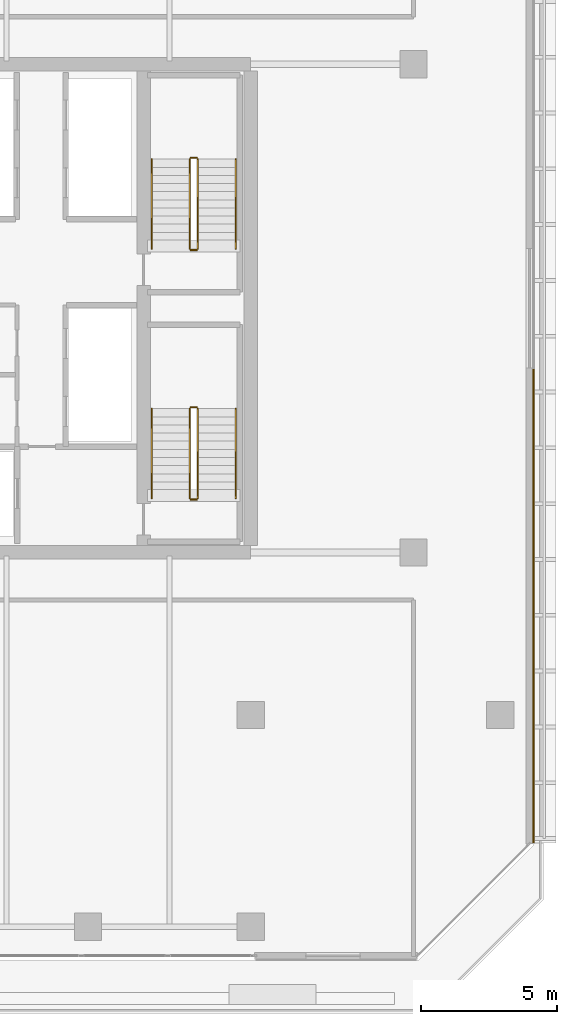
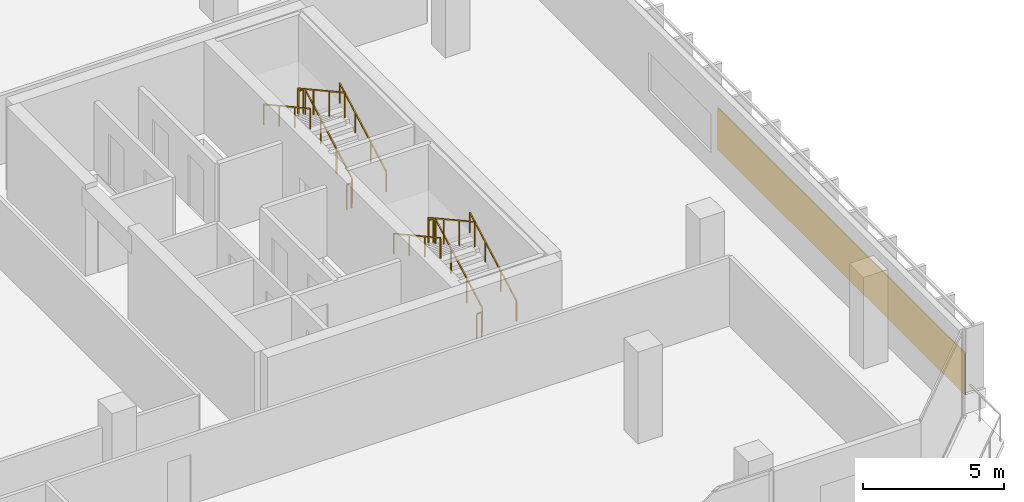
# One storey, part 37 of 38: 12 railings, 1 covering.
"""IFC4 building model written with IfcOpenShell, lengths in metres."""

from ifc_helpers import new_model, si_unit, direction, frame, origin, origin_2d, place, context, subcontext, project, spatial, rectangle, extrude, material, layer, layer_set, type_object, element, save


model = new_model("IFC4")

# Units and contexts
model_context = context("Model", 3, precision=1e-05, world=origin(), true_north=direction((0.0, 1.0)))
body_context = subcontext(model_context, "Body", "Model", "MODEL_VIEW")
ifc_project = project(units=[si_unit("LENGTHUNIT", "METRE"), si_unit("AREAUNIT", "SQUARE_METRE"), si_unit("VOLUMEUNIT", "CUBIC_METRE"), si_unit("PLANEANGLEUNIT", "RADIAN"), si_unit("MASSUNIT", "GRAM", prefix="KILO")], contexts=[model_context])

# Site, building, storey
site_placement = place(None, origin())
site = spatial("IfcSite", under=ifc_project, at=site_placement, CompositionType="ELEMENT")
building_placement = place(site_placement, origin())
building = spatial("IfcBuilding", under=site, at=building_placement, Name="Tanjung Sevakor Pilgrim Tower", CompositionType="ELEMENT")
storey_placement = place(building_placement, frame((0.0, 0.0, 78.2099609375)))
storey = spatial("IfcBuildingStorey", under=building, at=storey_placement, Name="L21", CompositionType="ELEMENT", Elevation=78.2099609375)

# Covering
ifc_material_1 = material(Name="Reconstructed Limestone Cladding", Category="masonry")
ifc_layer = layer(ifc_material_1, 0.044921875)
ifc_layer_set = layer_set([ifc_layer], Name="COV-CLAD-LIMESTONE")
covering_type = type_object("IfcCoveringType", Name="COV-CLAD-LIMESTONE", PredefinedType="CLADDING", material=ifc_layer_set)
covering_placement = place(storey_placement, frame((100.422607421875, 22.620849609375, 0.85009765625), z_axis=(0.0, 0.0, 1.0), x_axis=(0.0, 1.0, 0.0)))
element("IfcCovering", 1, at=covering_placement, inside=storey, type_object=covering_type, Name="L21 Warm Limestone Pier Panel EW-L21-MAIN-7-1", PredefinedType="CLADDING", context=body_context, shape_type="SweptSolid", body=[
    extrude(rectangle(XDim=17.458251953125, YDim=0.044921875, at=origin_2d()), origin(), (0.0, 0.0, 1.0), 1.81005859375),
])

# Railings
ifc_material_2 = material(Name="Steel S355J2", Category="steel")
railing_type_1 = type_object("IfcRailingType", Name="RL-STAIR-GUARD", PredefinedType="GUARDRAIL", material=ifc_material_2)
railing_1_placement = place(storey_placement, frame((88.050048828125, 26.60009765625, 0.1650390625)))
element("IfcRailing", 2, at=railing_1_placement, inside=storey, type_object=railing_type_1, Name="L21 TS-E1 stair guard 1", PredefinedType="GUARDRAIL", context=body_context, shape_type="SweptSolid", body=[
    extrude(rectangle(XDim=0.0479, YDim=0.0479), frame((0.0, 0.0, 1.076171875), z_axis=(0.0, 0.876210433733, 0.481928704082), x_axis=(-1.0, 0.0, 0.0)), (0.0, 0.0, 1.0), 3.76611328125),
    extrude(rectangle(XDim=0.042, YDim=0.042), origin(), (0.0, 0.0, 1.0), 1.052001953125),
    extrude(rectangle(XDim=0.042, YDim=0.042), frame((0.0, 1.099853515625, 0.60498046875)), (0.0, 0.0, 1.0), 1.052001953125),
    extrude(rectangle(XDim=0.042, YDim=0.042), frame((0.0, 2.199951171875, 1.2099609375)), (0.0, 0.0, 1.0), 1.052001953125),
    extrude(rectangle(XDim=0.042, YDim=0.042), frame((0.0, 3.2998046875, 1.81494140625)), (0.0, 0.0, 1.0), 1.052001953125),
])
railing_2_placement = place(storey_placement, frame((88.0, 29.949951171875, 1.97998046875)))
element("IfcRailing", 3, at=railing_2_placement, inside=storey, type_object=railing_type_1, Name="L21 TS-E1 stair guard 2", PredefinedType="GUARDRAIL", context=body_context, shape_type="SweptSolid", body=[
    extrude(rectangle(XDim=0.0479, YDim=0.0479), frame((0.0, 0.0, 1.076171875), z_axis=(-1.0, 0.0, 0.0), x_axis=(0.0, -1.0, 0.0)), (0.0, 0.0, 1.0), 0.199951171875),
    extrude(rectangle(XDim=0.042, YDim=0.042), origin(), (0.0, 0.0, 1.0), 1.052001953125),
    extrude(rectangle(XDim=0.042, YDim=0.042), frame((-0.199951171875, 0.0, 0.0)), (0.0, 0.0, 1.0), 1.052001953125),
])
railing_3_placement = place(storey_placement, frame((87.75, 29.89990234375, 2.14501953125)))
element("IfcRailing", 4, at=railing_3_placement, inside=storey, type_object=railing_type_1, Name="L21 TS-E1 stair guard 3", PredefinedType="GUARDRAIL", context=body_context, shape_type="SweptSolid", body=[
    extrude(rectangle(XDim=0.0479, YDim=0.0479), frame((0.0, 0.0, 1.076171875), z_axis=(0.0, -0.876210433733, 0.481928704082), x_axis=(1.0, 0.0, 0.0)), (0.0, 0.0, 1.0), 3.76611328125),
    extrude(rectangle(XDim=0.042, YDim=0.042), origin(), (0.0, 0.0, 1.0), 1.052001953125),
    extrude(rectangle(XDim=0.042, YDim=0.042), frame((0.0, -1.099853515625, 0.60498046875)), (0.0, 0.0, 1.0), 1.052001953125),
    extrude(rectangle(XDim=0.042, YDim=0.042), frame((0.0, -2.199951171875, 1.2099609375)), (0.0, 0.0, 1.0), 1.052001953125),
    extrude(rectangle(XDim=0.042, YDim=0.042), frame((0.0, -3.2998046875, 1.81494140625)), (0.0, 0.0, 1.0), 1.052001953125),
])
railing_4_placement = place(storey_placement, frame((88.0, 26.550048828125, 0.0)))
element("IfcRailing", 5, at=railing_4_placement, inside=storey, type_object=railing_type_1, Name="L21 TS-E1 stair guard 4", PredefinedType="GUARDRAIL", context=body_context, shape_type="SweptSolid", body=[
    extrude(rectangle(XDim=0.0479, YDim=0.0479), frame((0.0, 0.0, 1.076171875), z_axis=(-1.0, 0.0, 0.0), x_axis=(0.0, -1.0, 0.0)), (0.0, 0.0, 1.0), 0.199951171875),
    extrude(rectangle(XDim=0.042, YDim=0.042), origin(), (0.0, 0.0, 1.0), 1.052001953125),
    extrude(rectangle(XDim=0.042, YDim=0.042), frame((-0.199951171875, 0.0, 0.0)), (0.0, 0.0, 1.0), 1.052001953125),
])
railing_5_placement = place(storey_placement, frame((88.050048828125, 35.800048828125, 0.1650390625)))
element("IfcRailing", 6, at=railing_5_placement, inside=storey, type_object=railing_type_1, Name="L21 TS-E2 stair guard 1", PredefinedType="GUARDRAIL", context=body_context, shape_type="SweptSolid", body=[
    extrude(rectangle(XDim=0.0479, YDim=0.0479), frame((0.0, 0.0, 1.076171875), z_axis=(0.0, 0.876225489012, 0.48190133057), x_axis=(-1.0, 0.0, 0.0)), (0.0, 0.0, 1.0), 3.76611328125),
    extrude(rectangle(XDim=0.042, YDim=0.042), origin(), (0.0, 0.0, 1.0), 1.052001953125),
    extrude(rectangle(XDim=0.042, YDim=0.042), frame((0.0, 1.10009765625, 0.60498046875)), (0.0, 0.0, 1.0), 1.052001953125),
    extrude(rectangle(XDim=0.042, YDim=0.042), frame((0.0, 2.199951171875, 1.2099609375)), (0.0, 0.0, 1.0), 1.052001953125),
    extrude(rectangle(XDim=0.042, YDim=0.042), frame((0.0, 3.300048828125, 1.81494140625)), (0.0, 0.0, 1.0), 1.052001953125),
])
railing_6_placement = place(storey_placement, frame((88.0, 39.14990234375, 1.97998046875)))
element("IfcRailing", 7, at=railing_6_placement, inside=storey, type_object=railing_type_1, Name="L21 TS-E2 stair guard 2", PredefinedType="GUARDRAIL", context=body_context, shape_type="SweptSolid", body=[
    extrude(rectangle(XDim=0.0479, YDim=0.0479), frame((0.0, 0.0, 1.076171875), z_axis=(-1.0, 0.0, 0.0), x_axis=(0.0, -1.0, 0.0)), (0.0, 0.0, 1.0), 0.199951171875),
    extrude(rectangle(XDim=0.042, YDim=0.042), origin(), (0.0, 0.0, 1.0), 1.052001953125),
    extrude(rectangle(XDim=0.042, YDim=0.042), frame((-0.199951171875, 0.0, 0.0)), (0.0, 0.0, 1.0), 1.052001953125),
])
railing_7_placement = place(storey_placement, frame((87.75, 39.10009765625, 2.14501953125)))
element("IfcRailing", 8, at=railing_7_placement, inside=storey, type_object=railing_type_1, Name="L21 TS-E2 stair guard 3", PredefinedType="GUARDRAIL", context=body_context, shape_type="SweptSolid", body=[
    extrude(rectangle(XDim=0.0479, YDim=0.0479), frame((0.0, 0.0, 1.076171875), z_axis=(0.0, -0.876225489012, 0.48190133057), x_axis=(1.0, 0.0, 0.0)), (0.0, 0.0, 1.0), 3.76611328125),
    extrude(rectangle(XDim=0.042, YDim=0.042), origin(), (0.0, 0.0, 1.0), 1.052001953125),
    extrude(rectangle(XDim=0.042, YDim=0.042), frame((0.0, -1.10009765625, 0.60498046875)), (0.0, 0.0, 1.0), 1.052001953125),
    extrude(rectangle(XDim=0.042, YDim=0.042), frame((0.0, -2.199951171875, 1.2099609375)), (0.0, 0.0, 1.0), 1.052001953125),
    extrude(rectangle(XDim=0.042, YDim=0.042), frame((0.0, -3.300048828125, 1.81494140625)), (0.0, 0.0, 1.0), 1.052001953125),
])
railing_8_placement = place(storey_placement, frame((88.0, 35.75, 0.0)))
element("IfcRailing", 9, at=railing_8_placement, inside=storey, type_object=railing_type_1, Name="L21 TS-E2 stair guard 4", PredefinedType="GUARDRAIL", context=body_context, shape_type="SweptSolid", body=[
    extrude(rectangle(XDim=0.0479, YDim=0.0479), frame((0.0, 0.0, 1.076171875), z_axis=(-1.0, 0.0, 0.0), x_axis=(0.0, -1.0, 0.0)), (0.0, 0.0, 1.0), 0.199951171875),
    extrude(rectangle(XDim=0.042, YDim=0.042), origin(), (0.0, 0.0, 1.0), 1.052001953125),
    extrude(rectangle(XDim=0.042, YDim=0.042), frame((-0.199951171875, 0.0, 0.0)), (0.0, 0.0, 1.0), 1.052001953125),
])
ifc_material_3 = material(Name="Steel S355J2", Category="steel")
railing_type_2 = type_object("IfcRailingType", Name="RL-STAIR-HAND", PredefinedType="HANDRAIL", material=ifc_material_3)
railing_9_placement = place(storey_placement, frame((89.449951171875, 26.60009765625, 0.1650390625)))
element("IfcRailing", 10, at=railing_9_placement, inside=storey, type_object=railing_type_2, Name="L21 TS-E1 stair handrail 1", PredefinedType="HANDRAIL", context=body_context, shape_type="SweptSolid", body=[
    extrude(rectangle(XDim=0.0479, YDim=0.0479), frame((0.0, 0.0, 0.8759765625), z_axis=(0.0, 0.876210433733, 0.481928704082), x_axis=(-1.0, 0.0, 0.0)), (0.0, 0.0, 1.0), 3.76611328125),
    extrude(rectangle(XDim=0.042, YDim=0.042), origin(), (0.0, 0.0, 1.0), 0.851806640625),
    extrude(rectangle(XDim=0.042, YDim=0.042), frame((0.0, 1.099853515625, 0.60498046875)), (0.0, 0.0, 1.0), 0.851806640625),
    extrude(rectangle(XDim=0.042, YDim=0.042), frame((0.0, 2.199951171875, 1.2099609375)), (0.0, 0.0, 1.0), 0.851806640625),
    extrude(rectangle(XDim=0.042, YDim=0.042), frame((0.0, 3.2998046875, 1.81494140625)), (0.0, 0.0, 1.0), 0.851806640625),
])
railing_10_placement = place(storey_placement, frame((86.35009765625, 29.89990234375, 2.14501953125)))
element("IfcRailing", 11, at=railing_10_placement, inside=storey, type_object=railing_type_2, Name="L21 TS-E1 stair handrail 2", PredefinedType="HANDRAIL", context=body_context, shape_type="SweptSolid", body=[
    extrude(rectangle(XDim=0.0479, YDim=0.0479), frame((0.0, 0.0, 0.8759765625), z_axis=(0.0, -0.876210433733, 0.481928704082), x_axis=(1.0, 0.0, 0.0)), (0.0, 0.0, 1.0), 3.76611328125),
    extrude(rectangle(XDim=0.042, YDim=0.042), origin(), (0.0, 0.0, 1.0), 0.851806640625),
    extrude(rectangle(XDim=0.042, YDim=0.042), frame((0.0, -1.099853515625, 0.60498046875)), (0.0, 0.0, 1.0), 0.851806640625),
    extrude(rectangle(XDim=0.042, YDim=0.042), frame((0.0, -2.199951171875, 1.2099609375)), (0.0, 0.0, 1.0), 0.851806640625),
    extrude(rectangle(XDim=0.042, YDim=0.042), frame((0.0, -3.2998046875, 1.81494140625)), (0.0, 0.0, 1.0), 0.851806640625),
])
railing_11_placement = place(storey_placement, frame((89.449951171875, 35.800048828125, 0.1650390625)))
element("IfcRailing", 12, at=railing_11_placement, inside=storey, type_object=railing_type_2, Name="L21 TS-E2 stair handrail 1", PredefinedType="HANDRAIL", context=body_context, shape_type="SweptSolid", body=[
    extrude(rectangle(XDim=0.0479, YDim=0.0479), frame((0.0, 0.0, 0.8759765625), z_axis=(0.0, 0.876225489012, 0.48190133057), x_axis=(-1.0, 0.0, 0.0)), (0.0, 0.0, 1.0), 3.76611328125),
    extrude(rectangle(XDim=0.042, YDim=0.042), origin(), (0.0, 0.0, 1.0), 0.851806640625),
    extrude(rectangle(XDim=0.042, YDim=0.042), frame((0.0, 1.10009765625, 0.60498046875)), (0.0, 0.0, 1.0), 0.851806640625),
    extrude(rectangle(XDim=0.042, YDim=0.042), frame((0.0, 2.199951171875, 1.2099609375)), (0.0, 0.0, 1.0), 0.851806640625),
    extrude(rectangle(XDim=0.042, YDim=0.042), frame((0.0, 3.300048828125, 1.81494140625)), (0.0, 0.0, 1.0), 0.851806640625),
])
railing_12_placement = place(storey_placement, frame((86.35009765625, 39.10009765625, 2.14501953125)))
element("IfcRailing", 13, at=railing_12_placement, inside=storey, type_object=railing_type_2, Name="L21 TS-E2 stair handrail 2", PredefinedType="HANDRAIL", context=body_context, shape_type="SweptSolid", body=[
    extrude(rectangle(XDim=0.0479, YDim=0.0479), frame((0.0, 0.0, 0.8759765625), z_axis=(0.0, -0.876225489012, 0.48190133057), x_axis=(1.0, 0.0, 0.0)), (0.0, 0.0, 1.0), 3.76611328125),
    extrude(rectangle(XDim=0.042, YDim=0.042), origin(), (0.0, 0.0, 1.0), 0.851806640625),
    extrude(rectangle(XDim=0.042, YDim=0.042), frame((0.0, -1.10009765625, 0.60498046875)), (0.0, 0.0, 1.0), 0.851806640625),
    extrude(rectangle(XDim=0.042, YDim=0.042), frame((0.0, -2.199951171875, 1.2099609375)), (0.0, 0.0, 1.0), 0.851806640625),
    extrude(rectangle(XDim=0.042, YDim=0.042), frame((0.0, -3.300048828125, 1.81494140625)), (0.0, 0.0, 1.0), 0.851806640625),
])

save(model, "model.ifc")
